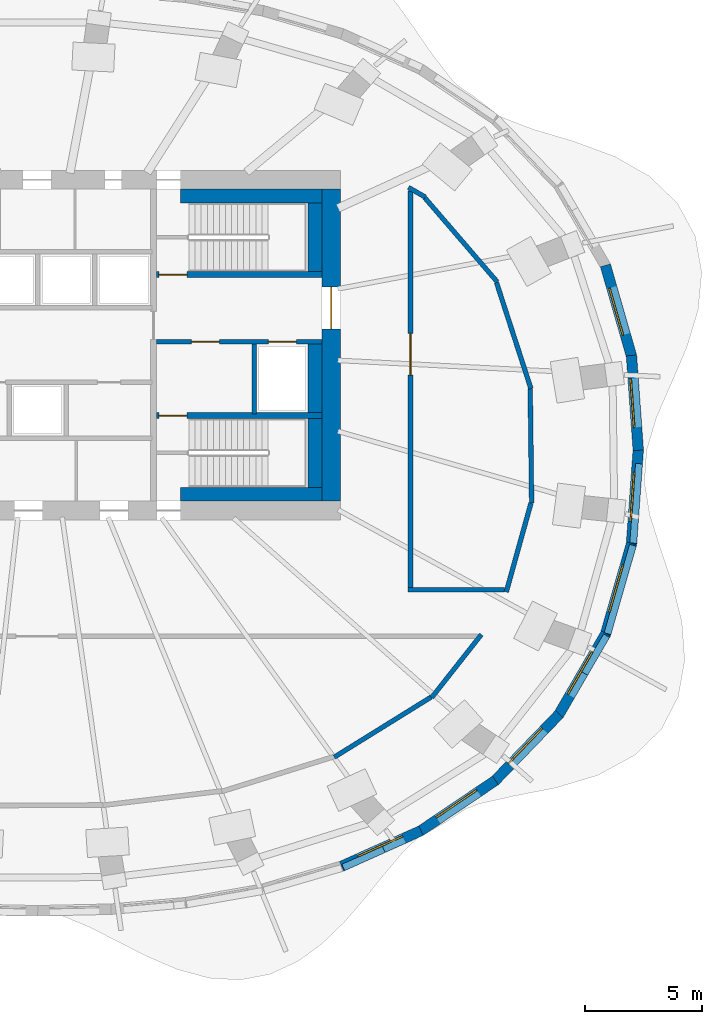
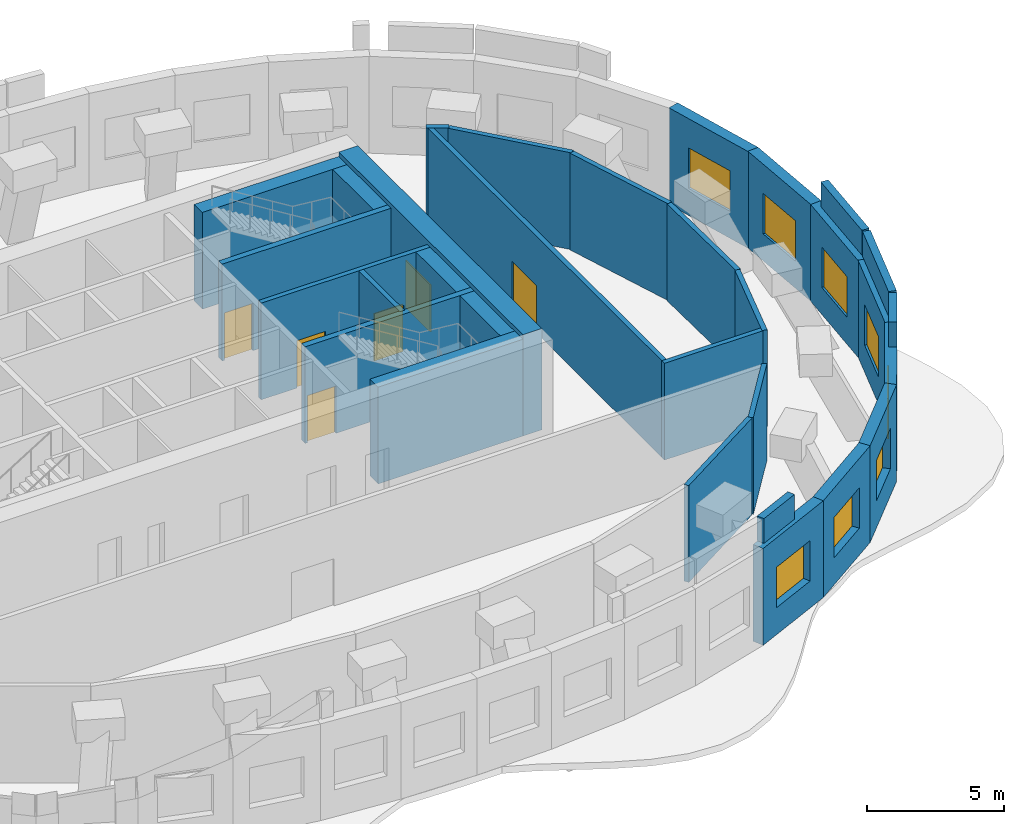
# One storey, part 6 of 9: 31 walls, 8 windows, 6 doors, 14 openings.
"""IFC4 building model written with IfcOpenShell, lengths in metres."""

from ifc_helpers import new_model, si_unit, direction, frame, frame_2d, origin, place, context, subcontext, project, spatial, rectangle, extrude, material, layer, layer_set, type_object, element, fill, save


model = new_model("IFC4")

# Units and contexts
model_context = context("Model", 3, precision=1e-05, world=origin(), true_north=direction((0.0, 1.0)))
body_context = subcontext(model_context, "Body", "Model", "MODEL_VIEW")
ifc_project = project(units=[si_unit("LENGTHUNIT", "METRE"), si_unit("AREAUNIT", "SQUARE_METRE"), si_unit("VOLUMEUNIT", "CUBIC_METRE"), si_unit("PLANEANGLEUNIT", "RADIAN"), si_unit("MASSUNIT", "GRAM", prefix="KILO")], contexts=[model_context])

# Site, building, storey
site_placement = place(None, origin())
site = spatial("IfcSite", under=ifc_project, at=site_placement, CompositionType="ELEMENT")
building_placement = place(site_placement, origin())
building = spatial("IfcBuilding", under=site, at=building_placement, Name="Rubra Terraces Tower", CompositionType="ELEMENT")
storey_placement = place(building_placement, frame((0.0, 0.0, 264.300048828125)))
storey = spatial("IfcBuildingStorey", under=building, at=storey_placement, Name="L65", CompositionType="ELEMENT", Elevation=264.300048828125)

# Wall, opening, window
ifc_material_1 = material(Name="Brick masonry red-brown", Category="masonry")
ifc_layer_1 = layer(ifc_material_1, 0.449951171875)
ifc_layer_set_1 = layer_set([ifc_layer_1], Name="Brick masonry red-brown")
wall_type_1 = type_object("IfcWallType", Name="Brick facade wall 450", PredefinedType="SOLIDWALL", material=ifc_layer_set_1)
wall_1_placement = place(storey_placement, frame((25.775634765625, -0.01611328125, 0.0), z_axis=(0.0, 0.0, 1.0), x_axis=(-0.071761268902, 0.99742183668, 0.0)))
wall_1 = element("IfcWall", 1, at=wall_1_placement, inside=storey, type_object=wall_type_1, Name="Facade wall L65 bay 1", PredefinedType="SOLIDWALL", context=body_context, shape_type="SweptSolid", body=[
    extrude(rectangle(XDim=4.08251953125, YDim=0.449951171875, at=frame_2d((2.041259765625, 0.0))), origin(), (0.0, 0.0, 1.0), 4.300048828125),
])
opening_1_placement = place(wall_1_placement, frame((0.9912109375, 0.0, 1.199951171875)))
opening_1 = element("IfcOpeningElement", 2, at=opening_1_placement, cuts=wall_1, Name="Opening W4", PredefinedType="OPENING", context=body_context, shape_type="SweptSolid", body=[
    extrude(rectangle(XDim=2.10009765625, YDim=1.800048828125, at=frame_2d((1.050048828125, 0.89990234375))), frame((0.0, 0.23486328125, 0.0), z_axis=(0.0, -1.0, 0.0), x_axis=(1.0, 0.0, 0.0)), (0.0, 0.0, 1.0), 0.469970703125),
])
ifc_material_2 = material(Name="Clear glass in aluminium frame", Category="aluminium")
window_type = type_object("IfcWindowType", Name="Louvred plant window 2100 x 1800", PartitioningType="SINGLE_PANEL", PredefinedType="WINDOW", material=ifc_material_2)
window_1_placement = place(opening_1_placement, origin())
window_1 = element("IfcWindow", 3, at=window_1_placement, inside=storey, type_object=window_type, Name="Window L65 bay 1", OverallHeight=1.800048828125, OverallWidth=2.10009765625, PartitioningType="SINGLE_PANEL", PredefinedType="WINDOW", context=body_context, shape_type="SweptSolid", body=[
    extrude(rectangle(XDim=2.10009765625, YDim=1.800048828125, at=frame_2d((1.050048828125, 0.89990234375))), frame((0.0, 0.135009765625, 0.0), z_axis=(0.0, -1.0, 0.0), x_axis=(1.0, 0.0, 0.0)), (0.0, 0.0, 1.0), 0.06005859375),
])
fill(opening_1, window_1)

wall_2_placement = place(storey_placement, frame((25.49072265625, 4.009765625, 0.0), z_axis=(0.0, 0.0, 1.0), x_axis=(-0.276398759245, 0.961043040601, 0.0)))
wall_2 = element("IfcWall", 4, at=wall_2_placement, inside=storey, type_object=wall_type_1, Name="Facade wall L65 bay 2", PredefinedType="SOLIDWALL", context=body_context, shape_type="SweptSolid", body=[
    extrude(rectangle(XDim=4.07373046875, YDim=0.449951171875, at=frame_2d((2.036865234375, 0.0))), origin(), (0.0, 0.0, 1.0), 4.300048828125),
])
opening_2_placement = place(wall_2_placement, frame((0.98681640625, 0.0, 1.199951171875)))
opening_2 = element("IfcOpeningElement", 5, at=opening_2_placement, cuts=wall_2, Name="Opening W4", PredefinedType="OPENING", context=body_context, shape_type="SweptSolid", body=[
    extrude(rectangle(XDim=2.10009765625, YDim=1.800048828125, at=frame_2d((1.050048828125, 0.89990234375))), frame((0.0, 0.23486328125, 0.0), z_axis=(0.0, -1.0, 0.0), x_axis=(1.0, 0.0, 0.0)), (0.0, 0.0, 1.0), 0.469970703125),
])
window_2_placement = place(opening_2_placement, origin())
window_2 = element("IfcWindow", 6, at=window_2_placement, inside=storey, type_object=window_type, Name="Window L65 bay 2", OverallHeight=1.800048828125, OverallWidth=2.10009765625, PartitioningType="SINGLE_PANEL", PredefinedType="WINDOW", context=body_context, shape_type="SweptSolid", body=[
    extrude(rectangle(XDim=2.10009765625, YDim=1.800048828125, at=frame_2d((1.050048828125, 0.89990234375))), frame((0.0, 0.135009765625, 0.0), z_axis=(0.0, -1.0, 0.0), x_axis=(1.0, 0.0, 0.0)), (0.0, 0.0, 1.0), 0.06005859375),
])
fill(opening_2, window_2)

wall_3_placement = place(storey_placement, frame((13.0390625, -17.86865234375, 0.0), z_axis=(0.0, 0.0, 1.0), x_axis=(0.912495881005, 0.409085892142, 0.0)))
wall_3 = element("IfcWall", 7, at=wall_3_placement, inside=storey, type_object=wall_type_1, Name="Facade wall L65 bay 35", PredefinedType="SOLIDWALL", context=body_context, shape_type="SweptSolid", body=[
    extrude(rectangle(XDim=3.740234375, YDim=0.449951171875, at=frame_2d((1.8701171875, 0.0))), origin(), (0.0, 0.0, 1.0), 4.300048828125),
])
opening_3_placement = place(wall_3_placement, frame((0.820068359375, 0.0, 1.199951171875)))
opening_3 = element("IfcOpeningElement", 8, at=opening_3_placement, cuts=wall_3, Name="Opening W4", PredefinedType="OPENING", context=body_context, shape_type="SweptSolid", body=[
    extrude(rectangle(XDim=2.10009765625, YDim=1.800048828125, at=frame_2d((1.050048828125, 0.89990234375))), frame((0.0, 0.23486328125, 0.0), z_axis=(0.0, -1.0, 0.0), x_axis=(1.0, 0.0, 0.0)), (0.0, 0.0, 1.0), 0.469970703125),
])
window_3_placement = place(opening_3_placement, origin())
window_3 = element("IfcWindow", 9, at=window_3_placement, inside=storey, type_object=window_type, Name="Window L65 bay 35", OverallHeight=1.800048828125, OverallWidth=2.10009765625, PartitioningType="SINGLE_PANEL", PredefinedType="WINDOW", context=body_context, shape_type="SweptSolid", body=[
    extrude(rectangle(XDim=2.10009765625, YDim=1.800048828125, at=frame_2d((1.050048828125, 0.89990234375))), frame((0.0, 0.135009765625, 0.0), z_axis=(0.0, -1.0, 0.0), x_axis=(1.0, 0.0, 0.0)), (0.0, 0.0, 1.0), 0.06005859375),
])
fill(opening_3, window_3)

wall_4_placement = place(storey_placement, frame((16.418212890625, -16.357421875, 0.0), z_axis=(0.0, 0.0, 1.0), x_axis=(0.829039015156, 0.559190764721, 0.0)))
wall_4 = element("IfcWall", 10, at=wall_4_placement, inside=storey, type_object=wall_type_1, Name="Facade wall L65 bay 36", PredefinedType="SOLIDWALL", context=body_context, shape_type="SweptSolid", body=[
    extrude(rectangle(XDim=3.894775390625, YDim=0.449951171875, at=frame_2d((1.947265625, 0.0))), origin(), (0.0, 0.0, 1.0), 4.300048828125),
])
opening_4_placement = place(wall_4_placement, frame((0.8974609375, 0.0, 1.199951171875)))
opening_4 = element("IfcOpeningElement", 11, at=opening_4_placement, cuts=wall_4, Name="Opening W4", PredefinedType="OPENING", context=body_context, shape_type="SweptSolid", body=[
    extrude(rectangle(XDim=2.10009765625, YDim=1.800048828125, at=frame_2d((1.050048828125, 0.89990234375))), frame((0.0, 0.23486328125, 0.0), z_axis=(0.0, -1.0, 0.0), x_axis=(1.0, 0.0, 0.0)), (0.0, 0.0, 1.0), 0.469970703125),
])
window_4_placement = place(opening_4_placement, origin())
window_4 = element("IfcWindow", 12, at=window_4_placement, inside=storey, type_object=window_type, Name="Window L65 bay 36", OverallHeight=1.800048828125, OverallWidth=2.10009765625, PartitioningType="SINGLE_PANEL", PredefinedType="WINDOW", context=body_context, shape_type="SweptSolid", body=[
    extrude(rectangle(XDim=2.10009765625, YDim=1.800048828125, at=frame_2d((1.050048828125, 0.89990234375))), frame((0.0, 0.135009765625, 0.0), z_axis=(0.0, -1.0, 0.0), x_axis=(1.0, 0.0, 0.0)), (0.0, 0.0, 1.0), 0.06005859375),
])
fill(opening_4, window_4)

wall_5_placement = place(storey_placement, frame((19.611083984375, -14.209716796875, 0.0), z_axis=(0.0, 0.0, 1.0), x_axis=(0.694225992979, 0.719757091436, 0.0)))
wall_5 = element("IfcWall", 13, at=wall_5_placement, inside=storey, type_object=wall_type_1, Name="Facade wall L65 bay 37", PredefinedType="SOLIDWALL", context=body_context, shape_type="SweptSolid", body=[
    extrude(rectangle(XDim=3.9970703125, YDim=0.449951171875, at=frame_2d((1.99853515625, 0.0))), origin(), (0.0, 0.0, 1.0), 4.300048828125),
])
opening_5_placement = place(wall_5_placement, frame((0.948486328125, 0.0, 1.199951171875)))
opening_5 = element("IfcOpeningElement", 14, at=opening_5_placement, cuts=wall_5, Name="Opening W4", PredefinedType="OPENING", context=body_context, shape_type="SweptSolid", body=[
    extrude(rectangle(XDim=2.10009765625, YDim=1.800048828125, at=frame_2d((1.050048828125, 0.89990234375))), frame((0.0, 0.23486328125, 0.0), z_axis=(0.0, -1.0, 0.0), x_axis=(1.0, 0.0, 0.0)), (0.0, 0.0, 1.0), 0.469970703125),
])
window_5_placement = place(opening_5_placement, origin())
window_5 = element("IfcWindow", 15, at=window_5_placement, inside=storey, type_object=window_type, Name="Window L65 bay 37", OverallHeight=1.800048828125, OverallWidth=2.10009765625, PartitioningType="SINGLE_PANEL", PredefinedType="WINDOW", context=body_context, shape_type="SweptSolid", body=[
    extrude(rectangle(XDim=2.10009765625, YDim=1.800048828125, at=frame_2d((1.050048828125, 0.89990234375))), frame((0.0, 0.135009765625, 0.0), z_axis=(0.0, -1.0, 0.0), x_axis=(1.0, 0.0, 0.0)), (0.0, 0.0, 1.0), 0.06005859375),
])
fill(opening_5, window_5)

wall_6_placement = place(storey_placement, frame((22.353515625, -11.3759765625, 0.0), z_axis=(0.0, 0.0, 1.0), x_axis=(0.502055516261, 0.864835393929, 0.0)))
wall_6 = element("IfcWall", 16, at=wall_6_placement, inside=storey, type_object=wall_type_1, Name="Facade wall L65 bay 38", PredefinedType="SOLIDWALL", context=body_context, shape_type="SweptSolid", body=[
    extrude(rectangle(XDim=4.04931640625, YDim=0.449951171875, at=frame_2d((2.024658203125, 0.0))), origin(), (0.0, 0.0, 1.0), 4.300048828125),
])
opening_6_placement = place(wall_6_placement, frame((0.974609375, 0.0, 1.199951171875)))
opening_6 = element("IfcOpeningElement", 17, at=opening_6_placement, cuts=wall_6, Name="Opening W4", PredefinedType="OPENING", context=body_context, shape_type="SweptSolid", body=[
    extrude(rectangle(XDim=2.10009765625, YDim=1.800048828125, at=frame_2d((1.050048828125, 0.89990234375))), frame((0.0, 0.23486328125, 0.0), z_axis=(0.0, -1.0, 0.0), x_axis=(1.0, 0.0, 0.0)), (0.0, 0.0, 1.0), 0.469970703125),
])
window_6_placement = place(opening_6_placement, origin())
window_6 = element("IfcWindow", 18, at=window_6_placement, inside=storey, type_object=window_type, Name="Window L65 bay 38", OverallHeight=1.800048828125, OverallWidth=2.10009765625, PartitioningType="SINGLE_PANEL", PredefinedType="WINDOW", context=body_context, shape_type="SweptSolid", body=[
    extrude(rectangle(XDim=2.10009765625, YDim=1.800048828125, at=frame_2d((1.050048828125, 0.89990234375))), frame((0.0, 0.135009765625, 0.0), z_axis=(0.0, -1.0, 0.0), x_axis=(1.0, 0.0, 0.0)), (0.0, 0.0, 1.0), 0.06005859375),
])
fill(opening_6, window_6)

wall_7_placement = place(storey_placement, frame((24.36474609375, -7.9248046875, 0.0), z_axis=(0.0, 0.0, 1.0), x_axis=(0.276398759245, 0.961043040601, 0.0)))
wall_7 = element("IfcWall", 19, at=wall_7_placement, inside=storey, type_object=wall_type_1, Name="Facade wall L65 bay 39", PredefinedType="SOLIDWALL", context=body_context, shape_type="SweptSolid", body=[
    extrude(rectangle(XDim=4.07373046875, YDim=0.449951171875, at=frame_2d((2.036865234375, 0.0))), origin(), (0.0, 0.0, 1.0), 4.300048828125),
])
opening_7_placement = place(wall_7_placement, frame((0.98681640625, 0.0, 1.199951171875)))
opening_7 = element("IfcOpeningElement", 20, at=opening_7_placement, cuts=wall_7, Name="Opening W4", PredefinedType="OPENING", context=body_context, shape_type="SweptSolid", body=[
    extrude(rectangle(XDim=2.10009765625, YDim=1.800048828125, at=frame_2d((1.050048828125, 0.89990234375))), frame((0.0, 0.23486328125, 0.0), z_axis=(0.0, -1.0, 0.0), x_axis=(1.0, 0.0, 0.0)), (0.0, 0.0, 1.0), 0.469970703125),
])
window_7_placement = place(opening_7_placement, origin())
window_7 = element("IfcWindow", 21, at=window_7_placement, inside=storey, type_object=window_type, Name="Window L65 bay 39", OverallHeight=1.800048828125, OverallWidth=2.10009765625, PartitioningType="SINGLE_PANEL", PredefinedType="WINDOW", context=body_context, shape_type="SweptSolid", body=[
    extrude(rectangle(XDim=2.10009765625, YDim=1.800048828125, at=frame_2d((1.050048828125, 0.89990234375))), frame((0.0, 0.135009765625, 0.0), z_axis=(0.0, -1.0, 0.0), x_axis=(1.0, 0.0, 0.0)), (0.0, 0.0, 1.0), 0.06005859375),
])
fill(opening_7, window_7)

wall_8_placement = place(storey_placement, frame((25.482666015625, -4.055908203125, 0.0), z_axis=(0.0, 0.0, 1.0), x_axis=(0.071761268902, 0.99742183668, 0.0)))
wall_8 = element("IfcWall", 22, at=wall_8_placement, inside=storey, type_object=wall_type_1, Name="Facade wall L65 bay 40", PredefinedType="SOLIDWALL", context=body_context, shape_type="SweptSolid", body=[
    extrude(rectangle(XDim=4.08251953125, YDim=0.449951171875, at=frame_2d((2.041259765625, 0.0))), origin(), (0.0, 0.0, 1.0), 4.300048828125),
])
opening_8_placement = place(wall_8_placement, frame((0.9912109375, 0.0, 1.199951171875)))
opening_8 = element("IfcOpeningElement", 23, at=opening_8_placement, cuts=wall_8, Name="Opening W4", PredefinedType="OPENING", context=body_context, shape_type="SweptSolid", body=[
    extrude(rectangle(XDim=2.10009765625, YDim=1.800048828125, at=frame_2d((1.050048828125, 0.89990234375))), frame((0.0, 0.23486328125, 0.0), z_axis=(0.0, -1.0, 0.0), x_axis=(1.0, 0.0, 0.0)), (0.0, 0.0, 1.0), 0.469970703125),
])
window_8_placement = place(opening_8_placement, origin())
window_8 = element("IfcWindow", 24, at=window_8_placement, inside=storey, type_object=window_type, Name="Window L65 bay 40", OverallHeight=1.800048828125, OverallWidth=2.10009765625, PartitioningType="SINGLE_PANEL", PredefinedType="WINDOW", context=body_context, shape_type="SweptSolid", body=[
    extrude(rectangle(XDim=2.10009765625, YDim=1.800048828125, at=frame_2d((1.050048828125, 0.89990234375))), frame((0.0, 0.135009765625, 0.0), z_axis=(0.0, -1.0, 0.0), x_axis=(1.0, 0.0, 0.0)), (0.0, 0.0, 1.0), 0.06005859375),
])
fill(opening_8, window_8)

# Walls
ifc_layer_2 = layer(ifc_material_1, 0.300048828125)
ifc_layer_set_2 = layer_set([ifc_layer_2], Name="Brick masonry red-brown")
wall_type_2 = type_object("IfcWallType", Name="Brick parapet 300", PredefinedType="PARAPET", material=ifc_layer_set_2)
wall_9_placement = place(storey_placement, frame((13.115966796875, -17.916259765625, 4.5), z_axis=(0.0, 0.0, 1.0), x_axis=(0.912530810844, 0.409007969679, 0.0)))
element("IfcWall", 25, at=wall_9_placement, inside=storey, type_object=wall_type_2, Name="Parapet L65 bay 35", PredefinedType="PARAPET", context=body_context, shape_type="SweptSolid", body=[
    extrude(rectangle(XDim=1.901123046875, YDim=0.300048828125, at=frame_2d((0.95068359375, 0.0))), origin(), (0.0, 0.0, 1.0), 1.099853515625),
])
wall_10_placement = place(storey_placement, frame((23.474853515625, -9.59375, 4.5), z_axis=(0.0, 0.0, 1.0), x_axis=(0.501994364196, 0.864870891125, 0.0)))
element("IfcWall", 26, at=wall_10_placement, inside=storey, type_object=wall_type_2, Name="Parapet L65 bay 38", PredefinedType="PARAPET", context=body_context, shape_type="SweptSolid", body=[
    extrude(rectangle(XDim=1.877685546875, YDim=0.300048828125, at=frame_2d((0.93896484375, 0.0))), origin(), (0.0, 0.0, 1.0), 1.099853515625),
])
wall_11_placement = place(storey_placement, frame((24.455322265625, -7.881103515625, 4.5), z_axis=(0.0, 0.0, 1.0), x_axis=(0.276428883383, 0.961034376301, 0.0)))
element("IfcWall", 27, at=wall_11_placement, inside=storey, type_object=wall_type_2, Name="Parapet L65 bay 39", PredefinedType="PARAPET", context=body_context, shape_type="SweptSolid", body=[
    extrude(rectangle(XDim=3.9453125, YDim=0.300048828125, at=frame_2d((1.97265625, 0.0))), origin(), (0.0, 0.0, 1.0), 1.099853515625),
])
wall_12_placement = place(storey_placement, frame((25.561767578125, -4.0, 4.5), z_axis=(0.0, 0.0, 1.0), x_axis=(0.071799897749, 0.997419056707, 0.0)))
element("IfcWall", 28, at=wall_12_placement, inside=storey, type_object=wall_type_2, Name="Parapet L65 bay 40", PredefinedType="PARAPET", context=body_context, shape_type="SweptSolid", body=[
    extrude(rectangle(XDim=3.420654296875, YDim=0.300048828125, at=frame_2d((1.71044921875, 0.0))), origin(), (0.0, 0.0, 1.0), 1.099853515625),
])

# Wall, opening, door
ifc_material_3 = material(Name="Concrete C50", Category="concrete")
ifc_layer_3 = layer(ifc_material_3, 0.800048828125)
ifc_layer_set_3 = layer_set([ifc_layer_3], Name="Concrete C50")
wall_type_3 = type_object("IfcWallType", Name="CORE WALL 800 C50", PredefinedType="SHEAR", material=ifc_layer_set_3)
wall_13_placement = place(storey_placement, frame((12.60009765625, -2.199951171875, 0.0), z_axis=(0.0, 0.0, 1.0), x_axis=(0.0, 1.0, 0.0)))
wall_13 = element("IfcWall", 29, at=wall_13_placement, inside=storey, type_object=wall_type_3, Name="CORE WALL E L65", PredefinedType="SHEAR", context=body_context, shape_type="SweptSolid", body=[
    extrude(rectangle(XDim=13.39990234375, YDim=0.800048828125, at=frame_2d((6.699951171875, 0.0))), origin(), (0.0, 0.0, 1.0), 4.5),
])
opening_9_placement = place(wall_13_placement, frame((7.39990234375, 0.0, 0.0)))
opening_9 = element("IfcOpeningElement", 30, at=opening_9_placement, cuts=wall_13, Name="Opening L65.C02", PredefinedType="OPENING", context=body_context, shape_type="SweptSolid", body=[
    extrude(rectangle(XDim=1.800048828125, YDim=2.10009765625, at=frame_2d((0.89990234375, 1.050048828125))), frame((0.0, 0.409912109375, 0.0), z_axis=(0.0, -1.0, 0.0), x_axis=(1.0, 0.0, 0.0)), (0.0, 0.0, 1.0), 0.820068359375),
])
ifc_material_4 = material(Name="Painted steel", Category="steel")
door_type_1 = type_object("IfcDoorType", Name="Fire door 1800x2100 double", OperationType="NOTDEFINED", PredefinedType="DOOR", material=ifc_material_4)
door_1_placement = place(opening_9_placement, origin())
door_1 = element("IfcDoor", 31, at=door_1_placement, inside=storey, type_object=door_type_1, Name="Core entrance door FF2", OperationType="DOUBLE_DOOR_SINGLE_SWING", OverallHeight=2.10009765625, OverallWidth=1.800048828125, PredefinedType="DOOR", context=body_context, shape_type="SweptSolid", body=[
    extrude(rectangle(XDim=1.800048828125, YDim=2.10009765625, at=frame_2d((0.89990234375, 1.050048828125))), frame((0.0, 0.02490234375, 0.0), z_axis=(0.0, -1.0, 0.0), x_axis=(1.0, 0.0, 0.0)), (0.0, 0.0, 1.0), 0.050048828125),
])
fill(opening_9, door_1)

# Walls
ifc_material_5 = material(Name="Concrete C40", Category="concrete")
ifc_layer_4 = layer(ifc_material_5, 0.60009765625)
ifc_layer_set_4 = layer_set([ifc_layer_4], Name="Concrete C40")
wall_type_4 = type_object("IfcWallType", Name="Core lining wall 600 concrete", PredefinedType="SOLIDWALL", material=ifc_layer_set_4)
wall_14_placement = place(storey_placement, frame((12.199951171875, 10.89990234375, 0.0), z_axis=(0.0, 0.0, 1.0), x_axis=(-1.0, 0.0, 0.0)))
element("IfcWall", 32, at=wall_14_placement, inside=storey, type_object=wall_type_4, Name="CORE LINING WALL L65", PredefinedType="SOLIDWALL", context=body_context, shape_type="SweptSolid", body=[
    extrude(rectangle(XDim=6.079833984375, YDim=0.60009765625, at=frame_2d((3.0400390625, 0.0))), origin(), (0.0, 0.0, 1.0), 4.300048828125),
])
wall_15_placement = place(storey_placement, frame((11.89990234375, 10.60009765625, 0.0), z_axis=(0.0, 0.0, 1.0), x_axis=(0.0, -1.0, 0.0)))
element("IfcWall", 33, at=wall_15_placement, inside=storey, type_object=wall_type_4, Name="CORE LINING WALL L65", PredefinedType="SOLIDWALL", context=body_context, shape_type="SweptSolid", body=[
    extrude(rectangle(XDim=2.9501953125, YDim=0.60009765625, at=frame_2d((1.47509765625, 0.0))), origin(), (0.0, 0.0, 1.0), 4.300048828125),
])
wall_16_placement = place(storey_placement, frame((11.89990234375, 4.550048828125, 0.0), z_axis=(0.0, 0.0, 1.0), x_axis=(0.0, -1.0, 0.0)))
element("IfcWall", 34, at=wall_16_placement, inside=storey, type_object=wall_type_4, Name="CORE LINING WALL L65", PredefinedType="SOLIDWALL", context=body_context, shape_type="SweptSolid", body=[
    extrude(rectangle(XDim=3.0, YDim=0.60009765625, at=frame_2d((1.5, 0.0))), origin(), (0.0, 0.0, 1.0), 4.300048828125),
])
wall_17_placement = place(storey_placement, frame((11.89990234375, 1.35009765625, 0.0), z_axis=(0.0, 0.0, 1.0), x_axis=(0.0, -1.0, 0.0)))
element("IfcWall", 35, at=wall_17_placement, inside=storey, type_object=wall_type_4, Name="CORE LINING WALL L65", PredefinedType="SOLIDWALL", context=body_context, shape_type="SweptSolid", body=[
    extrude(rectangle(XDim=2.9501953125, YDim=0.60009765625, at=frame_2d((1.47509765625, 0.0))), origin(), (0.0, 0.0, 1.0), 4.300048828125),
])
wall_18_placement = place(storey_placement, frame((12.199951171875, -1.89990234375, 0.0), z_axis=(0.0, 0.0, 1.0), x_axis=(-1.0, 0.0, 0.0)))
element("IfcWall", 36, at=wall_18_placement, inside=storey, type_object=wall_type_4, Name="CORE LINING WALL L65", PredefinedType="SOLIDWALL", context=body_context, shape_type="SweptSolid", body=[
    extrude(rectangle(XDim=6.079833984375, YDim=0.60009765625, at=frame_2d((3.0400390625, 0.0))), origin(), (0.0, 0.0, 1.0), 4.300048828125),
])

# Wall, openings, doors
ifc_material_6 = material(Name="Concrete C30", Category="concrete")
ifc_layer_5 = layer(ifc_material_6, 0.199951171875)
ifc_layer_set_5 = layer_set([ifc_layer_5], Name="Concrete C30")
wall_type_5 = type_object("IfcWallType", Name="Core wall 200 concrete", PredefinedType="SOLIDWALL", material=ifc_layer_set_5)
wall_19_placement = place(storey_placement, frame((12.199951171875, 4.64990234375, 0.0), z_axis=(0.0, 0.0, 1.0), x_axis=(-1.0, 0.0, 0.0)))
wall_19 = element("IfcWall", 37, at=wall_19_placement, inside=storey, type_object=wall_type_5, Name="STAIR WALL L65", PredefinedType="SOLIDWALL", context=body_context, shape_type="SweptSolid", body=[
    extrude(rectangle(XDim=7.099853515625, YDim=0.199951171875, at=frame_2d((3.5498046875, 0.0))), origin(), (0.0, 0.0, 1.0), 4.300048828125),
])
opening_10_placement = place(wall_19_placement, frame((4.39990234375, 0.0, 0.0)))
opening_10 = element("IfcOpeningElement", 38, at=opening_10_placement, cuts=wall_19, Name="Opening L65.C06", PredefinedType="OPENING", context=body_context, shape_type="SweptSolid", body=[
    extrude(rectangle(XDim=1.199951171875, YDim=2.10009765625, at=frame_2d((0.60009765625, 1.050048828125))), frame((0.0, 0.10986328125, 0.0), z_axis=(0.0, -1.0, 0.0), x_axis=(1.0, 0.0, 0.0)), (0.0, 0.0, 1.0), 0.219970703125),
])
opening_11_placement = place(wall_19_placement, frame((1.10009765625, 0.0, 0.0)))
opening_11 = element("IfcOpeningElement", 39, at=opening_11_placement, cuts=wall_19, Name="Opening L65.C12", PredefinedType="OPENING", context=body_context, shape_type="SweptSolid", body=[
    extrude(rectangle(XDim=1.199951171875, YDim=2.10009765625, at=frame_2d((0.60009765625, 1.050048828125))), frame((0.0, 0.10986328125, 0.0), z_axis=(0.0, -1.0, 0.0), x_axis=(1.0, 0.0, 0.0)), (0.0, 0.0, 1.0), 0.219970703125),
])
door_type_2 = type_object("IfcDoorType", Name="Fire door 1200x2100 single", OperationType="NOTDEFINED", PredefinedType="DOOR", material=ifc_material_4)
door_2_placement = place(opening_10_placement, origin())
door_2 = element("IfcDoor", 40, at=door_2_placement, inside=storey, type_object=door_type_2, Name="Stair vestibule door S4", OperationType="SINGLE_SWING_RIGHT", OverallHeight=2.10009765625, OverallWidth=1.199951171875, PredefinedType="DOOR", context=body_context, shape_type="SweptSolid", body=[
    extrude(rectangle(XDim=1.199951171875, YDim=2.10009765625, at=frame_2d((0.60009765625, 1.050048828125))), frame((0.0, 0.02490234375, 0.0), z_axis=(0.0, -1.0, 0.0), x_axis=(1.0, 0.0, 0.0)), (0.0, 0.0, 1.0), 0.050048828125),
])
fill(opening_10, door_2)
ifc_material_7 = material(Name="Stainless steel", Category="steel")
door_type_3 = type_object("IfcDoorType", Name="Lift landing door 1200x2100", OperationType="NOTDEFINED", PredefinedType="DOOR", material=ifc_material_7)
door_3_placement = place(opening_11_placement, origin())
door_3 = element("IfcDoor", 41, at=door_3_placement, inside=storey, type_object=door_type_3, Name="Landing door FF2", OperationType="SLIDING_TO_RIGHT", OverallHeight=2.10009765625, OverallWidth=1.199951171875, PredefinedType="DOOR", context=body_context, shape_type="SweptSolid", body=[
    extrude(rectangle(XDim=1.199951171875, YDim=2.10009765625, at=frame_2d((0.60009765625, 1.050048828125))), frame((0.0, 0.02490234375, 0.0), z_axis=(0.0, -1.0, 0.0), x_axis=(1.0, 0.0, 0.0)), (0.0, 0.0, 1.0), 0.050048828125),
])
fill(opening_11, door_3)

# Walls
wall_20_placement = place(storey_placement, frame((9.300048828125, 4.550048828125, 0.0), z_axis=(0.0, 0.0, 1.0), x_axis=(0.0, -1.0, 0.0)))
element("IfcWall", 42, at=wall_20_placement, inside=storey, type_object=wall_type_5, Name="STAIR WALL L65", PredefinedType="SOLIDWALL", context=body_context, shape_type="SweptSolid", body=[
    extrude(rectangle(XDim=3.0, YDim=0.199951171875, at=frame_2d((1.5, 0.0))), origin(), (0.0, 0.0, 1.0), 4.300048828125),
])
ifc_material_8 = material(Name="Blockwork", Category="masonry")
ifc_layer_6 = layer(ifc_material_8, 0.199951171875)
ifc_layer_set_6 = layer_set([ifc_layer_6], Name="Blockwork")
wall_type_6 = type_object("IfcWallType", Name="Corridor partition 200 blockwork", PredefinedType="PARTITIONING", material=ifc_layer_set_6)
wall_21_placement = place(storey_placement, frame((19.041015625, -7.9208984375, 0.0), z_axis=(0.0, 0.0, 1.0), x_axis=(-0.618817980567, -0.785534408493, 0.0)))
element("IfcWall", 43, at=wall_21_placement, inside=storey, type_object=wall_type_6, Name="Partition wall", PredefinedType="PARTITIONING", context=body_context, shape_type="SweptSolid", body=[
    extrude(rectangle(XDim=3.4501953125, YDim=0.199951171875, at=frame_2d((1.72509765625, 0.0))), origin(), (0.0, 0.0, 1.0), 4.300048828125),
])
wall_22_placement = place(storey_placement, frame((16.883056640625, -10.60498046875, 0.0), z_axis=(0.0, 0.0, 1.0), x_axis=(-0.849608511022, -0.527413858368, 0.0)))
element("IfcWall", 44, at=wall_22_placement, inside=storey, type_object=wall_type_6, Name="Partition wall", PredefinedType="PARTITIONING", context=body_context, shape_type="SweptSolid", body=[
    extrude(rectangle(XDim=4.885986328125, YDim=0.199951171875, at=frame_2d((2.44287109375, 0.0))), origin(), (0.0, 0.0, 1.0), 4.300048828125),
])
wall_23_placement = place(storey_placement, frame((15.9130859375, 11.26708984375, 0.0), z_axis=(0.0, 0.0, 1.0), x_axis=(0.866219676164, -0.4996633593, 0.0)))
element("IfcWall", 45, at=wall_23_placement, inside=storey, type_object=wall_type_6, Name="Partition wall", PredefinedType="PARTITIONING", context=body_context, shape_type="SweptSolid", body=[
    extrude(rectangle(XDim=0.83447265625, YDim=0.199951171875, at=frame_2d((0.417236328125, 0.0))), origin(), (0.0, 0.0, 1.0), 4.300048828125),
])
wall_24_placement = place(storey_placement, frame((16.614013671875, 10.823974609375, 0.0), z_axis=(0.0, 0.0, 1.0), x_axis=(0.652570543166, -0.757727976382, 0.0)))
element("IfcWall", 46, at=wall_24_placement, inside=storey, type_object=wall_type_6, Name="Partition wall", PredefinedType="PARTITIONING", context=body_context, shape_type="SweptSolid", body=[
    extrude(rectangle(XDim=4.76416015625, YDim=0.199951171875, at=frame_2d((2.382080078125, 0.0))), origin(), (0.0, 0.0, 1.0), 4.300048828125),
])
wall_25_placement = place(storey_placement, frame((19.68896484375, 7.195068359375, 0.0), z_axis=(0.0, 0.0, 1.0), x_axis=(0.308517152125, -0.951218779695, 0.0)))
element("IfcWall", 47, at=wall_25_placement, inside=storey, type_object=wall_type_6, Name="Partition wall", PredefinedType="PARTITIONING", context=body_context, shape_type="SweptSolid", body=[
    extrude(rectangle(XDim=4.7939453125, YDim=0.199951171875, at=frame_2d((2.39697265625, 0.0))), origin(), (0.0, 0.0, 1.0), 4.300048828125),
])
wall_26_placement = place(storey_placement, frame((21.137939453125, 2.6298828125, 0.0), z_axis=(0.0, 0.0, 1.0), x_axis=(0.012626385888, -0.999920284012, 0.0)))
element("IfcWall", 48, at=wall_26_placement, inside=storey, type_object=wall_type_6, Name="Partition wall", PredefinedType="PARTITIONING", context=body_context, shape_type="SweptSolid", body=[
    extrude(rectangle(XDim=4.911376953125, YDim=0.199951171875, at=frame_2d((2.45556640625, 0.0))), origin(), (0.0, 0.0, 1.0), 4.300048828125),
])
wall_27_placement = place(storey_placement, frame((21.172119140625, -2.277099609375, 0.0), z_axis=(0.0, 0.0, 1.0), x_axis=(-0.267701048026, -0.963502023291, 0.0)))
element("IfcWall", 49, at=wall_27_placement, inside=storey, type_object=wall_type_6, Name="Partition wall", PredefinedType="PARTITIONING", context=body_context, shape_type="SweptSolid", body=[
    extrude(rectangle(XDim=3.963623046875, YDim=0.199951171875, at=frame_2d((1.98193359375, 0.0))), origin(), (0.0, 0.0, 1.0), 4.300048828125),
])
wall_28_placement = place(storey_placement, frame((20.0380859375, -6.0, 0.0), z_axis=(0.0, 0.0, 1.0), x_axis=(-1.0, 0.0, 0.0)))
element("IfcWall", 50, at=wall_28_placement, inside=storey, type_object=wall_type_6, Name="Partition wall", PredefinedType="PARTITIONING", context=body_context, shape_type="SweptSolid", body=[
    extrude(rectangle(XDim=4.13818359375, YDim=0.199951171875, at=frame_2d((2.069091796875, 0.0))), origin(), (0.0, 0.0, 1.0), 4.300048828125),
])

# Wall, opening, door
wall_29_placement = place(storey_placement, frame((16.0, -5.89990234375, 0.0), z_axis=(0.0, 0.0, 1.0), x_axis=(0.0, 1.0, 0.0)))
wall_29 = element("IfcWall", 51, at=wall_29_placement, inside=storey, type_object=wall_type_6, Name="Partition wall", PredefinedType="PARTITIONING", context=body_context, shape_type="SweptSolid", body=[
    extrude(rectangle(XDim=17.016845703125, YDim=0.199951171875, at=frame_2d((8.50830078125, 0.0))), origin(), (0.0, 0.0, 1.0), 4.300048828125),
])
opening_12_placement = place(wall_29_placement, frame((9.10791015625, 0.0, 0.0)))
opening_12 = element("IfcOpeningElement", 52, at=opening_12_placement, cuts=wall_29, Name="Opening DB3", PredefinedType="OPENING", context=body_context, shape_type="SweptSolid", body=[
    extrude(rectangle(XDim=1.800048828125, YDim=2.10009765625, at=frame_2d((0.89990234375, 1.050048828125))), frame((0.0, 0.10986328125, 0.0), z_axis=(0.0, -1.0, 0.0), x_axis=(1.0, 0.0, 0.0)), (0.0, 0.0, 1.0), 0.219970703125),
])
door_type_4 = type_object("IfcDoorType", Name="Door 1800x2100 double", OperationType="NOTDEFINED", PredefinedType="DOOR", material=ifc_material_4)
door_4_placement = place(opening_12_placement, origin())
door_4 = element("IfcDoor", 53, at=door_4_placement, inside=storey, type_object=door_type_4, Name="Refuge area door L65-03", OperationType="DOUBLE_DOOR_SINGLE_SWING", OverallHeight=2.10009765625, OverallWidth=1.800048828125, PredefinedType="DOOR", context=body_context, shape_type="SweptSolid", body=[
    extrude(rectangle(XDim=1.800048828125, YDim=2.10009765625, at=frame_2d((0.89990234375, 1.050048828125))), frame((0.0, 0.02490234375, 0.0), z_axis=(0.0, -1.0, 0.0), x_axis=(1.0, 0.0, 0.0)), (0.0, 0.0, 1.0), 0.050048828125),
])
fill(opening_12, door_4)

ifc_layer_7 = layer(ifc_material_5, 0.25)
ifc_layer_set_7 = layer_set([ifc_layer_7], Name="Concrete C40")
wall_type_7 = type_object("IfcWallType", Name="Stair enclosure wall 250 concrete", PredefinedType="SOLIDWALL", material=ifc_layer_set_7)
wall_30_placement = place(storey_placement, frame((12.199951171875, 7.52490234375, 0.0), z_axis=(0.0, 0.0, 1.0), x_axis=(-1.0, 0.0, 0.0)))
wall_30 = element("IfcWall", 54, at=wall_30_placement, inside=storey, type_object=wall_type_7, Name="STAIR WALL L65", PredefinedType="SOLIDWALL", context=body_context, shape_type="SweptSolid", body=[
    extrude(rectangle(XDim=7.099853515625, YDim=0.25, at=frame_2d((3.5498046875, 0.0))), origin(), (0.0, 0.0, 1.0), 4.300048828125),
])
opening_13_placement = place(wall_30_placement, frame((5.800048828125, 0.0, 0.0)))
opening_13 = element("IfcOpeningElement", 55, at=opening_13_placement, cuts=wall_30, Name="Opening L65.C08", PredefinedType="OPENING", context=body_context, shape_type="SweptSolid", body=[
    extrude(rectangle(XDim=1.199951171875, YDim=2.10009765625, at=frame_2d((0.60009765625, 1.050048828125))), frame((0.0, 0.135009765625, 0.0), z_axis=(0.0, -1.0, 0.0), x_axis=(1.0, 0.0, 0.0)), (0.0, 0.0, 1.0), 0.27001953125),
])
door_5_placement = place(opening_13_placement, origin())
door_5 = element("IfcDoor", 56, at=door_5_placement, inside=storey, type_object=door_type_2, Name="Stair door S3", OperationType="SINGLE_SWING_RIGHT", OverallHeight=2.10009765625, OverallWidth=1.199951171875, PredefinedType="DOOR", context=body_context, shape_type="SweptSolid", body=[
    extrude(rectangle(XDim=1.199951171875, YDim=2.10009765625, at=frame_2d((0.60009765625, 1.050048828125))), frame((0.0, 0.02490234375, 0.0), z_axis=(0.0, -1.0, 0.0), x_axis=(1.0, 0.0, 0.0)), (0.0, 0.0, 1.0), 0.050048828125),
])
fill(opening_13, door_5)

wall_31_placement = place(storey_placement, frame((12.199951171875, 1.47509765625, 0.0), z_axis=(0.0, 0.0, 1.0), x_axis=(-1.0, 0.0, 0.0)))
wall_31 = element("IfcWall", 57, at=wall_31_placement, inside=storey, type_object=wall_type_7, Name="STAIR WALL L65", PredefinedType="SOLIDWALL", context=body_context, shape_type="SweptSolid", body=[
    extrude(rectangle(XDim=7.099853515625, YDim=0.25, at=frame_2d((3.5498046875, 0.0))), origin(), (0.0, 0.0, 1.0), 4.300048828125),
])
opening_14_placement = place(wall_31_placement, frame((5.800048828125, 0.0, 0.0)))
opening_14 = element("IfcOpeningElement", 58, at=opening_14_placement, cuts=wall_31, Name="Opening L65.C10", PredefinedType="OPENING", context=body_context, shape_type="SweptSolid", body=[
    extrude(rectangle(XDim=1.199951171875, YDim=2.10009765625, at=frame_2d((0.60009765625, 1.050048828125))), frame((0.0, 0.135009765625, 0.0), z_axis=(0.0, -1.0, 0.0), x_axis=(1.0, 0.0, 0.0)), (0.0, 0.0, 1.0), 0.27001953125),
])
door_6_placement = place(opening_14_placement, origin())
door_6 = element("IfcDoor", 59, at=door_6_placement, inside=storey, type_object=door_type_2, Name="Stair door S4", OperationType="SINGLE_SWING_RIGHT", OverallHeight=2.10009765625, OverallWidth=1.199951171875, PredefinedType="DOOR", context=body_context, shape_type="SweptSolid", body=[
    extrude(rectangle(XDim=1.199951171875, YDim=2.10009765625, at=frame_2d((0.60009765625, 1.050048828125))), frame((0.0, 0.02490234375, 0.0), z_axis=(0.0, -1.0, 0.0), x_axis=(1.0, 0.0, 0.0)), (0.0, 0.0, 1.0), 0.050048828125),
])
fill(opening_14, door_6)

save(model, "model.ifc")
